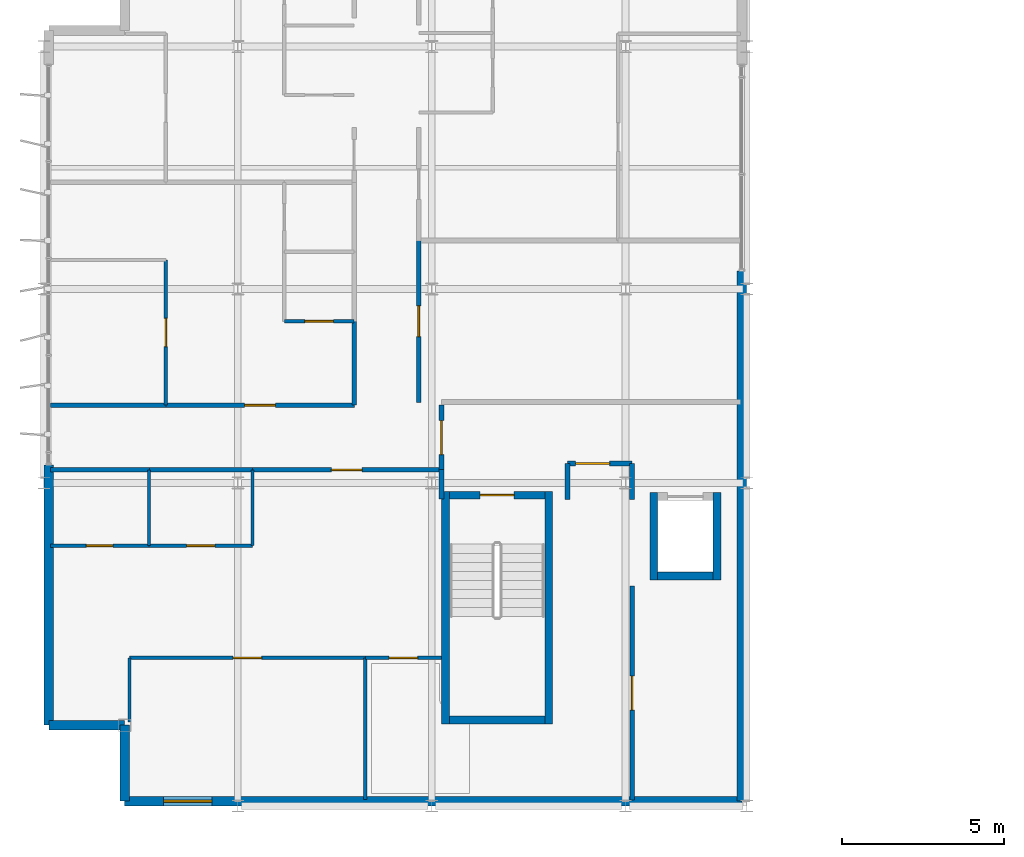
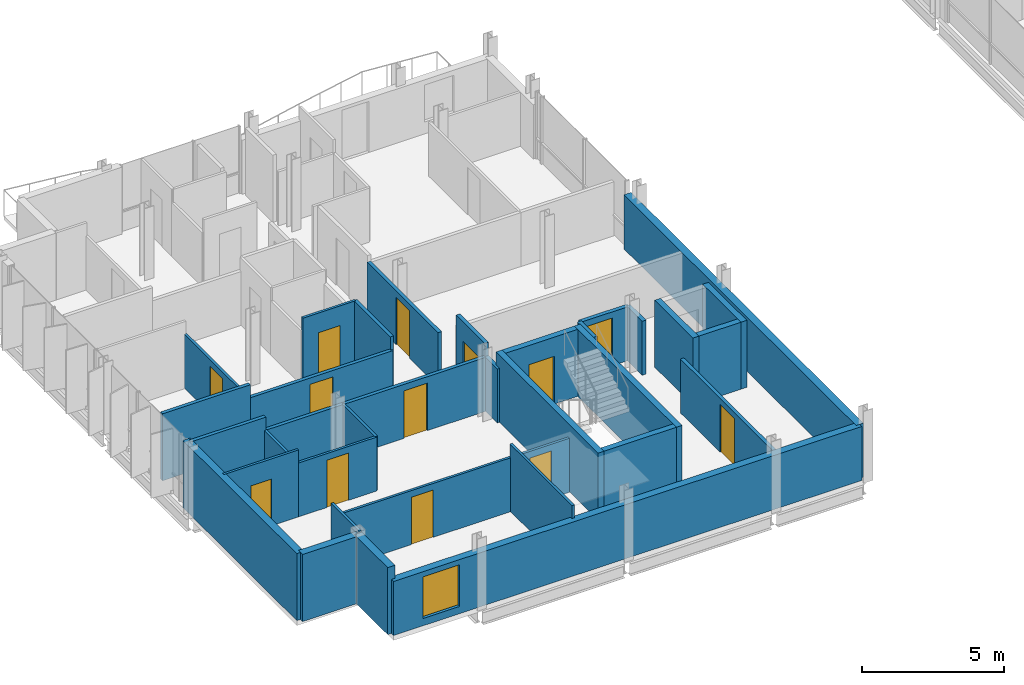
# One storey, part 22 of 30: 35 walls, 13 doors, 1 window, 14 openings.
"""IFC4 building model written with IfcOpenShell, lengths in metres."""

from ifc_helpers import new_model, si_unit, direction, frame, frame_2d, origin, place, context, subcontext, project, spatial, rectangle, extrude, material, layer, layer_set, type_object, element, fill, save


model = new_model("IFC4")

# Units and contexts
model_context = context("Model", 3, precision=1e-05, world=origin(), true_north=direction((0.0, 1.0)))
body_context = subcontext(model_context, "Body", "Model", "MODEL_VIEW")
ifc_project = project(units=[si_unit("LENGTHUNIT", "METRE"), si_unit("AREAUNIT", "SQUARE_METRE"), si_unit("VOLUMEUNIT", "CUBIC_METRE"), si_unit("PLANEANGLEUNIT", "RADIAN"), si_unit("MASSUNIT", "GRAM", prefix="KILO")], contexts=[model_context])

# Site, building, storey
site_placement = place(None, origin())
site = spatial("IfcSite", under=ifc_project, at=site_placement, CompositionType="ELEMENT")
building_placement = place(site_placement, origin())
building = spatial("IfcBuilding", under=site, at=building_placement, Name="Brevholm Reach", CompositionType="ELEMENT")
storey_placement = place(building_placement, frame((0.0, 0.0, 204.89990234375)))
storey = spatial("IfcBuildingStorey", under=building, at=storey_placement, Name="L62", CompositionType="ELEMENT", Elevation=204.89990234375)

# Walls
ifc_material_1 = material(Name="Concrete C45/55", Category="concrete")
ifc_layer_1 = layer(ifc_material_1, 0.239990234375)
ifc_layer_set_1 = layer_set([ifc_layer_1], Name="Concrete C45/55")
wall_type_1 = type_object("IfcWallType", Name="WAL-COR-240", PredefinedType="SHEAR", material=ifc_layer_set_1)
for number, where, z_axis, x_axis, name in (
    (1, (12.429931640625, 2.5400390625, 0.0), (0.0, 0.0, 1.0), (0.0, 1.0, 0.0), "L62 Escape Stair ST-1 Core Wall W"),
    (2, (15.6201171875, 2.5400390625, 0.0), (0.0, 0.0, 1.0), (0.0, 1.0, 0.0), "L62 Escape Stair ST-1 Core Wall E"),
):
    element("IfcWall", number, at=place(storey_placement, frame(where, z_axis=z_axis, x_axis=x_axis)), inside=storey, type_object=wall_type_1, Name=name, PredefinedType="SHEAR", context=body_context, shape_type="SweptSolid", body=[
        extrude(rectangle(XDim=7.199951171875, YDim=0.239990234375, at=frame_2d((3.60009765625, 0.0))), origin(), (0.0, 0.0, 1.0), 2.89013671875),
    ])
wall_1_placement = place(storey_placement, frame((12.550048828125, 2.659912109375, 0.0), z_axis=(0.0, 0.0, 1.0), x_axis=(1.0, 0.0, 0.0)))
element("IfcWall", 3, at=wall_1_placement, inside=storey, type_object=wall_type_1, Name="L62 Escape Stair ST-1 Core Wall S", PredefinedType="SHEAR", context=body_context, shape_type="SweptSolid", body=[
    extrude(rectangle(XDim=2.949951171875, YDim=0.239990234375, at=frame_2d((1.47509765625, 0.0))), origin(), (0.0, 0.0, 1.0), 2.89013671875),
])

# Wall, opening, door
wall_2_placement = place(storey_placement, frame((15.5, 9.6201171875, 0.0), z_axis=(0.0, 0.0, 1.0), x_axis=(-1.0, 0.0, 0.0)))
wall_2 = element("IfcWall", 4, at=wall_2_placement, inside=storey, type_object=wall_type_1, Name="L62 Escape Stair ST-1 Core Wall N", PredefinedType="SHEAR", context=body_context, shape_type="SweptSolid", body=[
    extrude(rectangle(XDim=2.949951171875, YDim=0.239990234375, at=frame_2d((1.47509765625, 0.0))), origin(), (0.0, 0.0, 1.0), 2.89013671875),
])
opening_1_placement = place(wall_2_placement, frame((0.949951171875, 0.0, 0.0)))
opening_1 = element("IfcOpeningElement", 5, at=opening_1_placement, cuts=wall_2, Name="Opening SD-ST-1", PredefinedType="OPENING", context=body_context, shape_type="SweptSolid", body=[
    extrude(rectangle(XDim=1.050048828125, YDim=2.06005859375, at=frame_2d((0.52490234375, 1.030029296875))), frame((0.0, 0.1298828125, 0.0), z_axis=(0.0, -1.0, 0.0), x_axis=(1.0, 0.0, 0.0)), (0.0, 0.0, 1.0), 0.260009765625),
])
ifc_material_2 = material(Name="Hardwood-Lipped Steel-Core Fire and Smoke Door", Category="steel")
door_type_1 = type_object("IfcDoorType", Name="DOR-INT-FD60S", OperationType="NOTDEFINED", PredefinedType="DOOR", material=ifc_material_2)
door_1_placement = place(opening_1_placement, origin())
door_1 = element("IfcDoor", 6, at=door_1_placement, inside=storey, type_object=door_type_1, Name="L62 Protected Stair ST-1 Lobby Door", OperationType="SINGLE_SWING_RIGHT", OverallHeight=2.06005859375, OverallWidth=1.050048828125, PredefinedType="DOOR", context=body_context, shape_type="SweptSolid", body=[
    extrude(rectangle(XDim=1.050048828125, YDim=2.06005859375, at=frame_2d((0.52490234375, 1.030029296875))), frame((0.0, 0.02490234375, 0.0), z_axis=(0.0, -1.0, 0.0), x_axis=(1.0, 0.0, 0.0)), (0.0, 0.0, 1.0), 0.050048828125),
])
fill(opening_1, door_1)

# Walls
for number, where, z_axis, x_axis, name in (
    (7, (18.8701171875, 7.0, 0.0), (0.0, 0.0, 1.0), (0.0, 1.0, 0.0), "L62 Lift FFL-1 Shaft Wall W"),
    (8, (20.830078125, 7.0, 0.0), (0.0, 0.0, 1.0), (0.0, 1.0, 0.0), "L62 Lift FFL-1 Shaft Wall E"),
):
    element("IfcWall", number, at=place(storey_placement, frame(where, z_axis=z_axis, x_axis=x_axis)), inside=storey, type_object=wall_type_1, Name=name, PredefinedType="SHEAR", context=body_context, shape_type="SweptSolid", body=[
        extrude(rectangle(XDim=2.699951171875, YDim=0.239990234375, at=frame_2d((1.35009765625, 0.0))), origin(), (0.0, 0.0, 1.0), 2.89013671875),
    ])
wall_3_placement = place(storey_placement, frame((18.989990234375, 7.1201171875, 0.0), z_axis=(0.0, 0.0, 1.0), x_axis=(1.0, 0.0, 0.0)))
element("IfcWall", 9, at=wall_3_placement, inside=storey, type_object=wall_type_1, Name="L62 Lift FFL-1 Shaft Wall S", PredefinedType="SHEAR", context=body_context, shape_type="SweptSolid", body=[
    extrude(rectangle(XDim=1.719970703125, YDim=0.239990234375, at=frame_2d((0.85986328125, 0.0))), origin(), (0.0, 0.0, 1.0), 2.89013671875),
])
ifc_material_3 = material(Name="Concrete C40/50", Category="concrete")
ifc_layer_2 = layer(ifc_material_3, 0.300048828125)
ifc_layer_set_2 = layer_set([ifc_layer_2], Name="Concrete C40/50")
wall_type_2 = type_object("IfcWallType", Name="WAL-EXT-300", PredefinedType="STANDARD", material=ifc_layer_set_2)
for number, where, z_axis, x_axis, name in (
    (10, (2.5, 2.5, 0.0), (0.0, 0.0, 1.0), (0.0, -1.0, 0.0), "L62 Facade Wall WAL-L62-WW-CSW1"),
    (11, (0.14990234375, 2.5, 0.0), (0.0, 0.0, 1.0), (1.0, 0.0, 0.0), "L62 Facade Wall WAL-L62-WW-CSW2"),
):
    element("IfcWall", number, at=place(storey_placement, frame(where, z_axis=z_axis, x_axis=x_axis)), inside=storey, type_object=wall_type_2, Name=name, PredefinedType="STANDARD", context=body_context, shape_type="SweptSolid", body=[
        extrude(rectangle(XDim=2.35009765625, YDim=0.300048828125, at=frame_2d((1.175048828125, 0.0))), origin(), (0.0, 0.0, 1.0), 2.89013671875),
    ])

# Wall, opening, window
wall_4_placement = place(storey_placement, frame((2.5, 0.14990234375, 0.0), z_axis=(0.0, 0.0, 1.0), x_axis=(1.0, 0.0, 0.0)))
wall_4 = element("IfcWall", 12, at=wall_4_placement, inside=storey, type_object=wall_type_2, Name="L62 Facade Wall WAL-L62-WW-S", PredefinedType="STANDARD", context=body_context, shape_type="SweptSolid", body=[
    extrude(rectangle(XDim=19.10009765625, YDim=0.300048828125, at=frame_2d((9.550048828125, 0.0))), origin(), (0.0, 0.0, 1.0), 2.33203125),
])
opening_2_placement = place(wall_4_placement, frame((1.199951171875, 0.0, 0.31201171875)))
opening_2 = element("IfcOpeningElement", 13, at=opening_2_placement, cuts=wall_4, Name="Opening WN-05", PredefinedType="OPENING", context=body_context, shape_type="SweptSolid", body=[
    extrude(rectangle(XDim=1.5, YDim=1.800048828125, at=frame_2d((0.75, 0.89990234375))), frame((0.0, 0.159912109375, 0.0), z_axis=(0.0, -1.0, 0.0), x_axis=(1.0, 0.0, 0.0)), (0.0, 0.0, 1.0), 0.320068359375),
])
ifc_material_4 = material(Name="Dark Anodised Aluminium and Solar-Control IGU Glass", Category="aluminium")
window_type = type_object("IfcWindowType", Name="WIN-RES-1500", PartitioningType="SINGLE_PANEL", PredefinedType="WINDOW", material=ifc_material_4)
window_placement = place(opening_2_placement, origin())
window = element("IfcWindow", 14, at=window_placement, inside=storey, type_object=window_type, Name="L62 Window WIN-L62-WWS-1", OverallHeight=1.800048828125, OverallWidth=1.5, PartitioningType="SINGLE_PANEL", PredefinedType="WINDOW", context=body_context, shape_type="SweptSolid", body=[
    extrude(rectangle(XDim=1.5, YDim=1.800048828125, at=frame_2d((0.75, 0.89990234375))), frame((0.0, 0.030029296875, 0.0), z_axis=(0.0, -1.0, 0.0), x_axis=(1.0, 0.0, 0.0)), (0.0, 0.0, 1.0), 0.06005859375),
])
fill(opening_2, window)

# Walls
wall_5_placement = place(storey_placement, frame((0.14990234375, 10.550048828125, 0.0), z_axis=(0.0, 0.0, 1.0), x_axis=(0.0, -1.0, 0.0)))
element("IfcWall", 15, at=wall_5_placement, inside=storey, type_object=wall_type_2, Name="L62 Facade Wall WAL-L62-WW-WS", PredefinedType="STANDARD", context=body_context, shape_type="SweptSolid", body=[
    extrude(rectangle(XDim=8.050048828125, YDim=0.300048828125, at=frame_2d((4.02490234375, 0.0))), origin(), (0.0, 0.0, 1.0), 2.89013671875),
])
wall_6_placement = place(storey_placement, frame((21.60009765625, 0.14990234375, 0.0), z_axis=(0.0, 0.0, 1.0), x_axis=(0.0, 1.0, 0.0)))
element("IfcWall", 16, at=wall_6_placement, inside=storey, type_object=wall_type_2, Name="L62 Facade Wall WAL-L62-VP-WS", PredefinedType="STANDARD", context=body_context, shape_type="SweptSolid", body=[
    extrude(rectangle(XDim=16.400146484375, YDim=0.300048828125, at=frame_2d((8.2001953125, 0.0))), origin(), (0.0, 0.0, 1.0), 2.33203125),
])
ifc_material_5 = material(Name="Moisture-Resistant Acoustic Gypsum Stud Partition 100 mm", Category="gypsum")
ifc_layer_3 = layer(ifc_material_5, 0.10009765625)
ifc_layer_set_3 = layer_set([ifc_layer_3], Name="Moisture-Resistant Acoustic Gypsum Stud Partition 100 mm")
wall_type_3 = type_object("IfcWallType", Name="WAL-PRT-100", PredefinedType="PARTITIONING", material=ifc_layer_set_3)
wall_7_placement = place(storey_placement, frame((3.25, 8.053955078125, 0.0), z_axis=(0.0, 0.0, 1.0), x_axis=(0.0, 1.0, 0.0)))
element("IfcWall", 17, at=wall_7_placement, inside=storey, type_object=wall_type_3, Name="L62 Internal Partition 039", PredefinedType="PARTITIONING", context=body_context, shape_type="SweptSolid", body=[
    extrude(rectangle(XDim=2.342041015625, YDim=0.10009765625, at=frame_2d((1.1708984375, 0.0))), origin(), (0.0, 0.0, 1.0), 2.32568359375),
])

# Wall, opening, door
wall_8_placement = place(storey_placement, frame((0.199951171875, 8.053955078125, 0.0), z_axis=(0.0, 0.0, 1.0), x_axis=(1.0, 0.0, 0.0)))
wall_8 = element("IfcWall", 18, at=wall_8_placement, inside=storey, type_object=wall_type_3, Name="L62 Internal Partition 040", PredefinedType="PARTITIONING", context=body_context, shape_type="SweptSolid", body=[
    extrude(rectangle(XDim=3.050048828125, YDim=0.10009765625, at=frame_2d((1.52490234375, 0.0))), origin(), (0.0, 0.0, 1.0), 2.89013671875),
])
opening_3_placement = place(wall_8_placement, frame((1.114990234375, 0.0, 0.0)))
opening_3 = element("IfcOpeningElement", 19, at=opening_3_placement, cuts=wall_8, Name="Opening ID-03", PredefinedType="OPENING", context=body_context, shape_type="SweptSolid", body=[
    extrude(rectangle(XDim=0.820068359375, YDim=2.02001953125, at=frame_2d((0.41015625, 1.010009765625))), frame((0.0, 0.06005859375, 0.0), z_axis=(0.0, -1.0, 0.0), x_axis=(1.0, 0.0, 0.0)), (0.0, 0.0, 1.0), 0.1201171875),
])
ifc_material_6 = material(Name="Moisture-Resistant Painted Timber Internal Bathroom Door", Category="wood")
door_type_2 = type_object("IfcDoorType", Name="DOR-BATH-820", OperationType="NOTDEFINED", PredefinedType="DOOR", material=ifc_material_6)
door_2_placement = place(opening_3_placement, origin())
door_2 = element("IfcDoor", 20, at=door_2_placement, inside=storey, type_object=door_type_2, Name="L62 Internal Door 019", OperationType="SINGLE_SWING_RIGHT", OverallHeight=2.02001953125, OverallWidth=0.820068359375, PredefinedType="DOOR", context=body_context, shape_type="SweptSolid", body=[
    extrude(rectangle(XDim=0.820068359375, YDim=2.02001953125, at=frame_2d((0.41015625, 1.010009765625))), frame((0.0, 0.02490234375, 0.0), z_axis=(0.0, -1.0, 0.0), x_axis=(1.0, 0.0, 0.0)), (0.0, 0.0, 1.0), 0.050048828125),
])
fill(opening_3, door_2)

wall_9_placement = place(storey_placement, frame((3.25390625, 8.053955078125, 0.0), z_axis=(0.0, 0.0, 1.0), x_axis=(1.0, 0.0, 0.0)))
wall_9 = element("IfcWall", 21, at=wall_9_placement, inside=storey, type_object=wall_type_3, Name="L62 Internal Partition 041", PredefinedType="PARTITIONING", context=body_context, shape_type="SweptSolid", body=[
    extrude(rectangle(XDim=3.196044921875, YDim=0.10009765625, at=frame_2d((1.59814453125, 0.0))), origin(), (0.0, 0.0, 1.0), 2.32568359375),
])
opening_4_placement = place(wall_9_placement, frame((1.157958984375, 0.0, 0.0)))
opening_4 = element("IfcOpeningElement", 22, at=opening_4_placement, cuts=wall_9, Name="Opening ID-01", PredefinedType="OPENING", context=body_context, shape_type="SweptSolid", body=[
    extrude(rectangle(XDim=0.8798828125, YDim=2.0400390625, at=frame_2d((0.43994140625, 1.02001953125))), frame((0.0, 0.06005859375, 0.0), z_axis=(0.0, -1.0, 0.0), x_axis=(1.0, 0.0, 0.0)), (0.0, 0.0, 1.0), 0.1201171875),
])
ifc_material_7 = material(Name="Lacquered Ash Solid-Core Acoustic Internal Door", Category="timber")
door_type_3 = type_object("IfcDoorType", Name="DOR-INT-880", OperationType="NOTDEFINED", PredefinedType="DOOR", material=ifc_material_7)
door_3_placement = place(opening_4_placement, origin())
door_3 = element("IfcDoor", 23, at=door_3_placement, inside=storey, type_object=door_type_3, Name="L62 Internal Door 020", OperationType="SINGLE_SWING_LEFT", OverallHeight=2.0400390625, OverallWidth=0.8798828125, PredefinedType="DOOR", context=body_context, shape_type="SweptSolid", body=[
    extrude(rectangle(XDim=0.8798828125, YDim=2.0400390625, at=frame_2d((0.43994140625, 1.02001953125))), frame((0.0, 0.02490234375, 0.0), z_axis=(0.0, -1.0, 0.0), x_axis=(1.0, 0.0, 0.0)), (0.0, 0.0, 1.0), 0.050048828125),
])
fill(opening_4, door_3)

# Walls
wall_10_placement = place(storey_placement, frame((6.449951171875, 8.053955078125, 0.0), z_axis=(0.0, 0.0, 1.0), x_axis=(0.0, 1.0, 0.0)))
element("IfcWall", 24, at=wall_10_placement, inside=storey, type_object=wall_type_3, Name="L62 Internal Partition 042", PredefinedType="PARTITIONING", context=body_context, shape_type="SweptSolid", body=[
    extrude(rectangle(XDim=2.342041015625, YDim=0.10009765625, at=frame_2d((1.1708984375, 0.0))), origin(), (0.0, 0.0, 1.0), 2.32568359375),
])
wall_11_placement = place(storey_placement, frame((9.946044921875, 0.199951171875, 0.0), z_axis=(0.0, 0.0, 1.0), x_axis=(0.0, 1.0, 0.0)))
element("IfcWall", 25, at=wall_11_placement, inside=storey, type_object=wall_type_3, Name="L62 Internal Partition 043", PredefinedType="PARTITIONING", context=body_context, shape_type="SweptSolid", body=[
    extrude(rectangle(XDim=4.385986328125, YDim=0.10009765625, at=frame_2d((2.19287109375, 0.0))), origin(), (0.0, 0.0, 1.0), 2.89013671875),
])
wall_12_placement = place(storey_placement, frame((2.64990234375, 2.599365234375, 0.0), z_axis=(0.0, 0.0, 1.0), x_axis=(0.0, 1.0, 0.0)))
element("IfcWall", 26, at=wall_12_placement, inside=storey, type_object=wall_type_3, Name="L62 Internal Partition 044", PredefinedType="PARTITIONING", context=body_context, shape_type="SweptSolid", body=[
    extrude(rectangle(XDim=1.986572265625, YDim=0.10009765625, at=frame_2d((0.9931640625, 0.0))), origin(), (0.0, 0.0, 1.0), 2.89013671875),
])

# Wall, opening, door
wall_13_placement = place(storey_placement, frame((2.64990234375, 4.5859375, 0.0), z_axis=(0.0, 0.0, 1.0), x_axis=(1.0, 0.0, 0.0)))
wall_13 = element("IfcWall", 27, at=wall_13_placement, inside=storey, type_object=wall_type_3, Name="L62 Internal Partition 045", PredefinedType="PARTITIONING", context=body_context, shape_type="SweptSolid", body=[
    extrude(rectangle(XDim=7.296142578125, YDim=0.10009765625, at=frame_2d((3.64794921875, 0.0))), origin(), (0.0, 0.0, 1.0), 2.32568359375),
])
opening_5_placement = place(wall_13_placement, frame((3.2080078125, 0.0, 0.0)))
opening_5 = element("IfcOpeningElement", 28, at=opening_5_placement, cuts=wall_13, Name="Opening ID-01", PredefinedType="OPENING", context=body_context, shape_type="SweptSolid", body=[
    extrude(rectangle(XDim=0.8798828125, YDim=2.0400390625, at=frame_2d((0.43994140625, 1.02001953125))), frame((0.0, 0.06005859375, 0.0), z_axis=(0.0, -1.0, 0.0), x_axis=(1.0, 0.0, 0.0)), (0.0, 0.0, 1.0), 0.1201171875),
])
door_4_placement = place(opening_5_placement, origin())
door_4 = element("IfcDoor", 29, at=door_4_placement, inside=storey, type_object=door_type_3, Name="L62 Internal Door 021", OperationType="SINGLE_SWING_RIGHT", OverallHeight=2.0400390625, OverallWidth=0.8798828125, PredefinedType="DOOR", context=body_context, shape_type="SweptSolid", body=[
    extrude(rectangle(XDim=0.8798828125, YDim=2.0400390625, at=frame_2d((0.43994140625, 1.02001953125))), frame((0.0, 0.02490234375, 0.0), z_axis=(0.0, -1.0, 0.0), x_axis=(1.0, 0.0, 0.0)), (0.0, 0.0, 1.0), 0.050048828125),
])
fill(opening_5, door_4)

wall_14_placement = place(storey_placement, frame((9.949951171875, 4.5859375, 0.0), z_axis=(0.0, 0.0, 1.0), x_axis=(1.0, 0.0, 0.0)))
wall_14 = element("IfcWall", 30, at=wall_14_placement, inside=storey, type_object=wall_type_3, Name="L62 Internal Partition 046", PredefinedType="PARTITIONING", context=body_context, shape_type="SweptSolid", body=[
    extrude(rectangle(XDim=2.35009765625, YDim=0.10009765625, at=frame_2d((1.175048828125, 0.0))), origin(), (0.0, 0.0, 1.0), 2.32568359375),
])
opening_6_placement = place(wall_14_placement, frame((0.735107421875, 0.0, 0.0)))
opening_6 = element("IfcOpeningElement", 31, at=opening_6_placement, cuts=wall_14, Name="Opening ID-01", PredefinedType="OPENING", context=body_context, shape_type="SweptSolid", body=[
    extrude(rectangle(XDim=0.8798828125, YDim=2.0400390625, at=frame_2d((0.43994140625, 1.02001953125))), frame((0.0, 0.06005859375, 0.0), z_axis=(0.0, -1.0, 0.0), x_axis=(1.0, 0.0, 0.0)), (0.0, 0.0, 1.0), 0.1201171875),
])
door_5_placement = place(opening_6_placement, origin())
door_5 = element("IfcDoor", 32, at=door_5_placement, inside=storey, type_object=door_type_3, Name="L62 Internal Door 022", OperationType="SINGLE_SWING_LEFT", OverallHeight=2.0400390625, OverallWidth=0.8798828125, PredefinedType="DOOR", context=body_context, shape_type="SweptSolid", body=[
    extrude(rectangle(XDim=0.8798828125, YDim=2.0400390625, at=frame_2d((0.43994140625, 1.02001953125))), frame((0.0, 0.02490234375, 0.0), z_axis=(0.0, -1.0, 0.0), x_axis=(1.0, 0.0, 0.0)), (0.0, 0.0, 1.0), 0.050048828125),
])
fill(opening_6, door_5)

wall_15_placement = place(storey_placement, frame((7.43798828125, 15.0, 0.0), z_axis=(0.0, 0.0, 1.0), x_axis=(1.0, 0.0, 0.0)))
wall_15 = element("IfcWall", 33, at=wall_15_placement, inside=storey, type_object=wall_type_3, Name="L62 Internal Partition 050", PredefinedType="PARTITIONING", context=body_context, shape_type="SweptSolid", body=[
    extrude(rectangle(XDim=2.157958984375, YDim=0.10009765625, at=frame_2d((1.0791015625, 0.0))), origin(), (0.0, 0.0, 1.0), 2.89013671875),
])
opening_7_placement = place(wall_15_placement, frame((0.638916015625, 0.0, 0.0)))
opening_7 = element("IfcOpeningElement", 34, at=opening_7_placement, cuts=wall_15, Name="Opening ID-01", PredefinedType="OPENING", context=body_context, shape_type="SweptSolid", body=[
    extrude(rectangle(XDim=0.8798828125, YDim=2.0400390625, at=frame_2d((0.43994140625, 1.02001953125))), frame((0.0, 0.06005859375, 0.0), z_axis=(0.0, -1.0, 0.0), x_axis=(1.0, 0.0, 0.0)), (0.0, 0.0, 1.0), 0.1201171875),
])
door_6_placement = place(opening_7_placement, origin())
door_6 = element("IfcDoor", 35, at=door_6_placement, inside=storey, type_object=door_type_3, Name="L62 Internal Door 024", OperationType="SINGLE_SWING_LEFT", OverallHeight=2.0400390625, OverallWidth=0.8798828125, PredefinedType="DOOR", context=body_context, shape_type="SweptSolid", body=[
    extrude(rectangle(XDim=0.8798828125, YDim=2.0400390625, at=frame_2d((0.43994140625, 1.02001953125))), frame((0.0, 0.02490234375, 0.0), z_axis=(0.0, -1.0, 0.0), x_axis=(1.0, 0.0, 0.0)), (0.0, 0.0, 1.0), 0.050048828125),
])
fill(opening_7, door_6)

wall_16_placement = place(storey_placement, frame((3.77197265625, 12.404052734375, 0.0), z_axis=(0.0, 0.0, 1.0), x_axis=(0.0, 1.0, 0.0)))
wall_16 = element("IfcWall", 36, at=wall_16_placement, inside=storey, type_object=wall_type_3, Name="L62 Internal Partition 052", PredefinedType="PARTITIONING", context=body_context, shape_type="SweptSolid", body=[
    extrude(rectangle(XDim=4.495849609375, YDim=0.10009765625, at=frame_2d((2.248046875, 0.0))), origin(), (0.0, 0.0, 1.0), 2.32568359375),
])
opening_8_placement = place(wall_16_placement, frame((1.80810546875, 0.0, 0.0)))
opening_8 = element("IfcOpeningElement", 37, at=opening_8_placement, cuts=wall_16, Name="Opening ID-01", PredefinedType="OPENING", context=body_context, shape_type="SweptSolid", body=[
    extrude(rectangle(XDim=0.8798828125, YDim=2.0400390625, at=frame_2d((0.43994140625, 1.02001953125))), frame((0.0, 0.06005859375, 0.0), z_axis=(0.0, -1.0, 0.0), x_axis=(1.0, 0.0, 0.0)), (0.0, 0.0, 1.0), 0.1201171875),
])
door_7_placement = place(opening_8_placement, origin())
door_7 = element("IfcDoor", 38, at=door_7_placement, inside=storey, type_object=door_type_3, Name="L62 Internal Door 025", OperationType="SINGLE_SWING_RIGHT", OverallHeight=2.0400390625, OverallWidth=0.8798828125, PredefinedType="DOOR", context=body_context, shape_type="SweptSolid", body=[
    extrude(rectangle(XDim=0.8798828125, YDim=2.0400390625, at=frame_2d((0.43994140625, 1.02001953125))), frame((0.0, 0.02490234375, 0.0), z_axis=(0.0, -1.0, 0.0), x_axis=(1.0, 0.0, 0.0)), (0.0, 0.0, 1.0), 0.050048828125),
])
fill(opening_8, door_7)

ifc_material_8 = material(Name="Twin-Stud Acoustic Fire-Rated Gypsum Partition 140 mm", Category="gypsum")
ifc_layer_4 = layer(ifc_material_8, 0.139892578125)
ifc_layer_set_4 = layer_set([ifc_layer_4], Name="Twin-Stud Acoustic Fire-Rated Gypsum Partition 140 mm")
wall_type_4 = type_object("IfcWallType", Name="WAL-PRT-140", PredefinedType="PARTITIONING", material=ifc_layer_set_4)
wall_17_placement = place(storey_placement, frame((18.199951171875, 0.179931640625, 0.0), z_axis=(0.0, 0.0, 1.0), x_axis=(0.0, 1.0, 0.0)))
wall_17 = element("IfcWall", 39, at=wall_17_placement, inside=storey, type_object=wall_type_4, Name="L62 Internal Partition 001", PredefinedType="PARTITIONING", context=body_context, shape_type="SweptSolid", body=[
    extrude(rectangle(XDim=6.63134765625, YDim=0.139892578125, at=frame_2d((3.315673828125, 0.0))), origin(), (0.0, 0.0, 1.0), 2.32568359375),
])
opening_9_placement = place(wall_17_placement, frame((2.790771484375, 0.0, 0.0)))
opening_9 = element("IfcOpeningElement", 40, at=opening_9_placement, cuts=wall_17, Name="Opening FD-01", PredefinedType="OPENING", context=body_context, shape_type="SweptSolid", body=[
    extrude(rectangle(XDim=1.050048828125, YDim=2.06005859375, at=frame_2d((0.52490234375, 1.030029296875))), frame((0.0, 0.079833984375, 0.0), z_axis=(0.0, -1.0, 0.0), x_axis=(1.0, 0.0, 0.0)), (0.0, 0.0, 1.0), 0.159912109375),
])
door_8_placement = place(opening_9_placement, origin())
door_8 = element("IfcDoor", 41, at=door_8_placement, inside=storey, type_object=door_type_1, Name="L62 Internal Door 001", OperationType="SINGLE_SWING_RIGHT", OverallHeight=2.06005859375, OverallWidth=1.050048828125, PredefinedType="DOOR", context=body_context, shape_type="SweptSolid", body=[
    extrude(rectangle(XDim=1.050048828125, YDim=2.06005859375, at=frame_2d((0.52490234375, 1.030029296875))), frame((0.0, 0.02490234375, 0.0), z_axis=(0.0, -1.0, 0.0), x_axis=(1.0, 0.0, 0.0)), (0.0, 0.0, 1.0), 0.050048828125),
])
fill(opening_9, door_8)

# Walls
wall_18_placement = place(storey_placement, frame((0.199951171875, 10.39990234375, 0.0), z_axis=(0.0, 0.0, 1.0), x_axis=(1.0, 0.0, 0.0)))
element("IfcWall", 42, at=wall_18_placement, inside=storey, type_object=wall_type_4, Name="L62 Internal Partition 016", PredefinedType="PARTITIONING", context=body_context, shape_type="SweptSolid", body=[
    extrude(rectangle(XDim=3.061279296875, YDim=0.139892578125, at=frame_2d((1.53076171875, 0.0))), origin(), (0.0, 0.0, 1.0), 2.89013671875),
])
wall_19_placement = place(storey_placement, frame((3.24267578125, 10.39990234375, 0.0), z_axis=(0.0, 0.0, 1.0), x_axis=(1.0, 0.0, 0.0)))
element("IfcWall", 43, at=wall_19_placement, inside=storey, type_object=wall_type_4, Name="L62 Internal Partition 017", PredefinedType="PARTITIONING", context=body_context, shape_type="SweptSolid", body=[
    extrude(rectangle(XDim=3.218505859375, YDim=0.139892578125, at=frame_2d((1.609375, 0.0))), origin(), (0.0, 0.0, 1.0), 2.32568359375),
])

# Wall, opening, door
wall_20_placement = place(storey_placement, frame((6.442626953125, 10.39990234375, 0.0), z_axis=(0.0, 0.0, 1.0), x_axis=(1.0, 0.0, 0.0)))
wall_20 = element("IfcWall", 44, at=wall_20_placement, inside=storey, type_object=wall_type_4, Name="L62 Internal Partition 018", PredefinedType="PARTITIONING", context=body_context, shape_type="SweptSolid", body=[
    extrude(rectangle(XDim=5.853271484375, YDim=0.139892578125, at=frame_2d((2.9267578125, 0.0))), origin(), (0.0, 0.0, 1.0), 2.32568359375),
])
opening_10_placement = place(wall_20_placement, frame((2.45166015625, 0.0, 0.0)))
opening_10 = element("IfcOpeningElement", 45, at=opening_10_placement, cuts=wall_20, Name="Opening ID-30", PredefinedType="OPENING", context=body_context, shape_type="SweptSolid", body=[
    extrude(rectangle(XDim=0.949951171875, YDim=2.050048828125, at=frame_2d((0.47509765625, 1.02490234375))), frame((0.0, 0.079833984375, 0.0), z_axis=(0.0, -1.0, 0.0), x_axis=(1.0, 0.0, 0.0)), (0.0, 0.0, 1.0), 0.159912109375),
])
ifc_material_9 = material(Name="European Oak Veneered Solid-Core Fire Entrance Door", Category="timber")
door_type_4 = type_object("IfcDoorType", Name="DOR-FLT-FD30S", OperationType="NOTDEFINED", PredefinedType="DOOR", material=ifc_material_9)
door_9_placement = place(opening_10_placement, origin())
door_9 = element("IfcDoor", 46, at=door_9_placement, inside=storey, type_object=door_type_4, Name="L62 Internal Door 009", OperationType="SINGLE_SWING_RIGHT", OverallHeight=2.050048828125, OverallWidth=0.949951171875, PredefinedType="DOOR", context=body_context, shape_type="SweptSolid", body=[
    extrude(rectangle(XDim=0.949951171875, YDim=2.050048828125, at=frame_2d((0.47509765625, 1.02490234375))), frame((0.0, 0.02490234375, 0.0), z_axis=(0.0, -1.0, 0.0), x_axis=(1.0, 0.0, 0.0)), (0.0, 0.0, 1.0), 0.050048828125),
])
fill(opening_10, door_9)

# Wall
wall_21_placement = place(storey_placement, frame((0.199951171875, 12.39990234375, 0.0), z_axis=(0.0, 0.0, 1.0), x_axis=(1.0, 0.0, 0.0)))
element("IfcWall", 47, at=wall_21_placement, inside=storey, type_object=wall_type_4, Name="L62 Internal Partition 019", PredefinedType="PARTITIONING", context=body_context, shape_type="SweptSolid", body=[
    extrude(rectangle(XDim=3.583251953125, YDim=0.139892578125, at=frame_2d((1.79150390625, 0.0))), origin(), (0.0, 0.0, 1.0), 2.89013671875),
])

# Wall, opening, door
wall_22_placement = place(storey_placement, frame((3.7646484375, 12.39990234375, 0.0), z_axis=(0.0, 0.0, 1.0), x_axis=(1.0, 0.0, 0.0)))
wall_22 = element("IfcWall", 48, at=wall_22_placement, inside=storey, type_object=wall_type_4, Name="L62 Internal Partition 020", PredefinedType="PARTITIONING", context=body_context, shape_type="SweptSolid", body=[
    extrude(rectangle(XDim=5.8427734375, YDim=0.139892578125, at=frame_2d((2.92138671875, 0.0))), origin(), (0.0, 0.0, 1.0), 2.32568359375),
])
opening_11_placement = place(wall_22_placement, frame((2.4462890625, 0.0, 0.0)))
opening_11 = element("IfcOpeningElement", 49, at=opening_11_placement, cuts=wall_22, Name="Opening ID-30", PredefinedType="OPENING", context=body_context, shape_type="SweptSolid", body=[
    extrude(rectangle(XDim=0.949951171875, YDim=2.050048828125, at=frame_2d((0.47509765625, 1.02490234375))), frame((0.0, 0.079833984375, 0.0), z_axis=(0.0, -1.0, 0.0), x_axis=(1.0, 0.0, 0.0)), (0.0, 0.0, 1.0), 0.159912109375),
])
door_10_placement = place(opening_11_placement, origin())
door_10 = element("IfcDoor", 50, at=door_10_placement, inside=storey, type_object=door_type_4, Name="L62 Internal Door 010", OperationType="SINGLE_SWING_LEFT", OverallHeight=2.050048828125, OverallWidth=0.949951171875, PredefinedType="DOOR", context=body_context, shape_type="SweptSolid", body=[
    extrude(rectangle(XDim=0.949951171875, YDim=2.050048828125, at=frame_2d((0.47509765625, 1.02490234375))), frame((0.0, 0.02490234375, 0.0), z_axis=(0.0, -1.0, 0.0), x_axis=(1.0, 0.0, 0.0)), (0.0, 0.0, 1.0), 0.050048828125),
])
fill(opening_11, door_10)

# Wall
wall_23_placement = place(storey_placement, frame((9.60009765625, 12.404052734375, 0.0), z_axis=(0.0, 0.0, 1.0), x_axis=(0.0, 1.0, 0.0)))
element("IfcWall", 51, at=wall_23_placement, inside=storey, type_object=wall_type_4, Name="L62 Internal Partition 023", PredefinedType="PARTITIONING", context=body_context, shape_type="SweptSolid", body=[
    extrude(rectangle(XDim=2.603271484375, YDim=0.139892578125, at=frame_2d((1.3017578125, 0.0))), origin(), (0.0, 0.0, 1.0), 2.89013671875),
])

# Wall, opening, door
wall_24_placement = place(storey_placement, frame((11.60009765625, 12.48876953125, 0.0), z_axis=(0.0, 0.0, 1.0), x_axis=(0.0, 1.0, 0.0)))
wall_24 = element("IfcWall", 52, at=wall_24_placement, inside=storey, type_object=wall_type_4, Name="L62 Internal Partition 026", PredefinedType="PARTITIONING", context=body_context, shape_type="SweptSolid", body=[
    extrude(rectangle(XDim=5.0185546875, YDim=0.139892578125, at=frame_2d((2.50927734375, 0.0))), origin(), (0.0, 0.0, 1.0), 2.32568359375),
])
opening_12_placement = place(wall_24_placement, frame((2.0341796875, 0.0, 0.0)))
opening_12 = element("IfcOpeningElement", 53, at=opening_12_placement, cuts=wall_24, Name="Opening ID-30", PredefinedType="OPENING", context=body_context, shape_type="SweptSolid", body=[
    extrude(rectangle(XDim=0.949951171875, YDim=2.050048828125, at=frame_2d((0.47509765625, 1.02490234375))), frame((0.0, 0.079833984375, 0.0), z_axis=(0.0, -1.0, 0.0), x_axis=(1.0, 0.0, 0.0)), (0.0, 0.0, 1.0), 0.159912109375),
])
door_11_placement = place(opening_12_placement, origin())
door_11 = element("IfcDoor", 54, at=door_11_placement, inside=storey, type_object=door_type_4, Name="L62 Internal Door 013", OperationType="SINGLE_SWING_RIGHT", OverallHeight=2.050048828125, OverallWidth=0.949951171875, PredefinedType="DOOR", context=body_context, shape_type="SweptSolid", body=[
    extrude(rectangle(XDim=0.949951171875, YDim=2.050048828125, at=frame_2d((0.47509765625, 1.02490234375))), frame((0.0, 0.02490234375, 0.0), z_axis=(0.0, -1.0, 0.0), x_axis=(1.0, 0.0, 0.0)), (0.0, 0.0, 1.0), 0.050048828125),
])
fill(opening_12, door_11)

# Walls
ifc_material_10 = material(Name="Twin-Frame Fire-Rated Gypsum Board and Mineral Wool 160 mm", Category="gypsum")
ifc_layer_5 = layer(ifc_material_10, 0.159912109375)
ifc_layer_set_5 = layer_set([ifc_layer_5], Name="Twin-Frame Fire-Rated Gypsum Board and Mineral Wool 160 mm")
wall_type_5 = type_object("IfcWallType", Name="WAL-PRT-160", PredefinedType="PARTITIONING", material=ifc_layer_set_5)
for number, where, z_axis, x_axis, name in (
    (55, (16.199951171875, 9.48876953125, 0.0), (0.0, 0.0, 1.0), (0.0, 1.0, 0.0), "L62 Internal Partition 002"),
    (56, (18.199951171875, 9.48876953125, 0.0), (0.0, 0.0, 1.0), (0.0, 1.0, 0.0), "L62 Internal Partition 003"),
):
    element("IfcWall", number, at=place(storey_placement, frame(where, z_axis=z_axis, x_axis=x_axis)), inside=storey, type_object=wall_type_5, Name=name, PredefinedType="PARTITIONING", context=body_context, shape_type="SweptSolid", body=[
        extrude(rectangle(XDim=1.111328125, YDim=0.159912109375, at=frame_2d((0.5556640625, 0.0))), origin(), (0.0, 0.0, 1.0), 2.32568359375),
    ])

# Wall, opening, door
wall_25_placement = place(storey_placement, frame((16.199951171875, 10.60009765625, 0.0), z_axis=(0.0, 0.0, 1.0), x_axis=(1.0, 0.0, 0.0)))
wall_25 = element("IfcWall", 57, at=wall_25_placement, inside=storey, type_object=wall_type_5, Name="L62 Internal Partition 004", PredefinedType="PARTITIONING", context=body_context, shape_type="SweptSolid", body=[
    extrude(rectangle(XDim=2.0, YDim=0.159912109375, at=frame_2d((1.0, 0.0))), origin(), (0.0, 0.0, 1.0), 2.32568359375),
])
opening_13_placement = place(wall_25_placement, frame((0.2548828125, 0.0, 0.0)))
opening_13 = element("IfcOpeningElement", 58, at=opening_13_placement, cuts=wall_25, Name="Opening FD-01", PredefinedType="OPENING", context=body_context, shape_type="SweptSolid", body=[
    extrude(rectangle(XDim=1.050048828125, YDim=2.06005859375, at=frame_2d((0.52490234375, 1.030029296875))), frame((0.0, 0.08984375, 0.0), z_axis=(0.0, -1.0, 0.0), x_axis=(1.0, 0.0, 0.0)), (0.0, 0.0, 1.0), 0.179931640625),
])
door_12_placement = place(opening_13_placement, origin())
door_12 = element("IfcDoor", 59, at=door_12_placement, inside=storey, type_object=door_type_1, Name="L62 Internal Door 002", OperationType="SINGLE_SWING_LEFT", OverallHeight=2.06005859375, OverallWidth=1.050048828125, PredefinedType="DOOR", context=body_context, shape_type="SweptSolid", body=[
    extrude(rectangle(XDim=1.050048828125, YDim=2.06005859375, at=frame_2d((0.52490234375, 1.030029296875))), frame((0.0, 0.02490234375, 0.0), z_axis=(0.0, -1.0, 0.0), x_axis=(1.0, 0.0, 0.0)), (0.0, 0.0, 1.0), 0.050048828125),
])
fill(opening_13, door_12)

wall_26_placement = place(storey_placement, frame((12.300048828125, 10.388671875, 0.0), z_axis=(0.0, 0.0, 1.0), x_axis=(0.0, 1.0, 0.0)))
wall_26 = element("IfcWall", 60, at=wall_26_placement, inside=storey, type_object=wall_type_5, Name="L62 Internal Partition 013", PredefinedType="PARTITIONING", context=body_context, shape_type="SweptSolid", body=[
    extrude(rectangle(XDim=2.022705078125, YDim=0.159912109375, at=frame_2d((1.01123046875, 0.0))), origin(), (0.0, 0.0, 1.0), 2.89013671875),
])
opening_14_placement = place(wall_26_placement, frame((0.486328125, 0.0, 0.0)))
opening_14 = element("IfcOpeningElement", 61, at=opening_14_placement, cuts=wall_26, Name="Opening FD-01", PredefinedType="OPENING", context=body_context, shape_type="SweptSolid", body=[
    extrude(rectangle(XDim=1.050048828125, YDim=2.06005859375, at=frame_2d((0.52490234375, 1.030029296875))), frame((0.0, 0.08984375, 0.0), z_axis=(0.0, -1.0, 0.0), x_axis=(1.0, 0.0, 0.0)), (0.0, 0.0, 1.0), 0.179931640625),
])
door_13_placement = place(opening_14_placement, origin())
door_13 = element("IfcDoor", 62, at=door_13_placement, inside=storey, type_object=door_type_1, Name="L62 Internal Door 008", OperationType="SINGLE_SWING_LEFT", OverallHeight=2.06005859375, OverallWidth=1.050048828125, PredefinedType="DOOR", context=body_context, shape_type="SweptSolid", body=[
    extrude(rectangle(XDim=1.050048828125, YDim=2.06005859375, at=frame_2d((0.52490234375, 1.030029296875))), frame((0.0, 0.02490234375, 0.0), z_axis=(0.0, -1.0, 0.0), x_axis=(1.0, 0.0, 0.0)), (0.0, 0.0, 1.0), 0.050048828125),
])
fill(opening_14, door_13)

# Wall
wall_27_placement = place(storey_placement, frame((12.300048828125, 9.5, 0.0), z_axis=(0.0, 0.0, 1.0), x_axis=(0.0, 1.0, 0.0)))
element("IfcWall", 63, at=wall_27_placement, inside=storey, type_object=wall_type_5, Name="L62 Internal Partition 014", PredefinedType="PARTITIONING", context=body_context, shape_type="SweptSolid", body=[
    extrude(rectangle(XDim=0.9072265625, YDim=0.159912109375, at=frame_2d((0.45361328125, 0.0))), origin(), (0.0, 0.0, 1.0), 2.32568359375),
])

save(model, "model.ifc")
